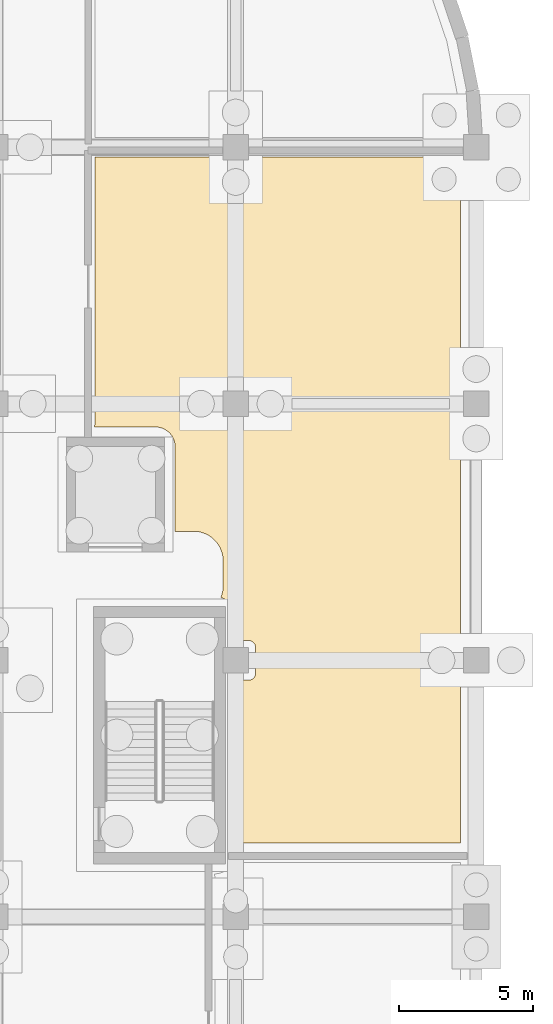
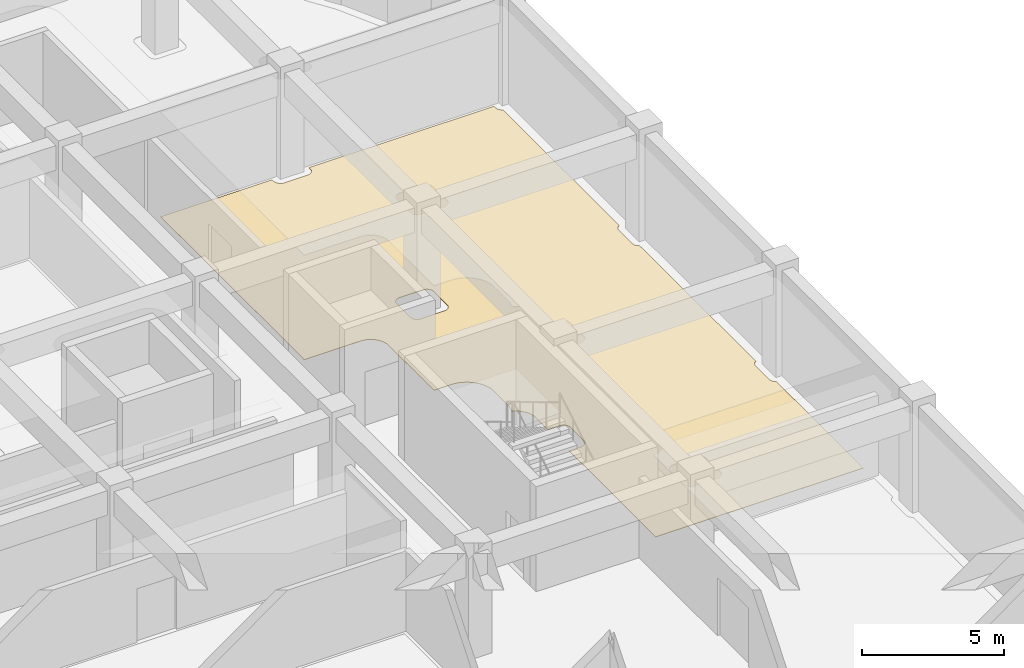
# One storey, part 43 of 47: 1 covering.
"""IFC4 building model written with IfcOpenShell, lengths in metres."""

import ifcopenshell
import ifcopenshell.guid

model = None  # the IFC model being written
_history = None  # IfcOwnerHistory: only IFC2X3 demands one
_inside = {}  # id of a spatial element -> (the spatial element, [elements in it])
_under = {}  # id of a project, library or spatial element -> (it, [spatial elements below it])
_declared = {}  # id of a project -> (the project, [libraries it declares])
_typed = {}  # id of a type object -> (the type object, [elements of that type])
_made_of = {}  # id of a material, layer set ... -> (it, [elements and type objects made of it])


def new_model(schema):
    """Start an empty IFC model of exactly this schema.

    Asked for "IFC4X3", IfcOpenShell would pick the latest addendum, in which some entities
    have other attributes; the version numbers below select the first issue.
    IFC2X3 requires an IfcOwnerHistory on every rooted entity: one is made here for all.
    """
    global model, _history
    if schema == "IFC4X3":
        model = ifcopenshell.file(schema_version=(4, 3, 0, 0))
    else:
        model = ifcopenshell.file(schema=schema)
    _inside.clear()
    _under.clear()
    _declared.clear()
    _typed.clear()
    _made_of.clear()
    _history = None
    if model.schema == "IFC2X3":
        org = make("IfcOrganization", Name="unknown")
        user = make(
            "IfcPersonAndOrganization",
            ThePerson=make("IfcPerson", FamilyName="unknown"),
            TheOrganization=org,
        )
        app = make(
            "IfcApplication",
            ApplicationDeveloper=org,
            Version="unknown",
            ApplicationFullName="unknown",
            ApplicationIdentifier="unknown",
        )
        _history = make(
            "IfcOwnerHistory",
            OwningUser=user,
            OwningApplication=app,
            ChangeAction="ADDED",
            CreationDate=0,
        )
    return model


def make(cls, **values):
    """One entity of the class cls with the attributes given. An attribute that is None is left unset."""
    return model.create_entity(
        cls, **{name: value for name, value in values.items() if value is not None}
    )


def rooted(cls, **values):
    """An entity with a GlobalId (a new one), such as an element, a storey or a relation."""
    return make(cls, GlobalId=ifcopenshell.guid.new(), OwnerHistory=_history, **values)


def si_unit(unit_type, name, prefix=None):
    """IfcSIUnit, for example si_unit("LENGTHUNIT", "METRE", prefix="MILLI")."""
    return make("IfcSIUnit", UnitType=unit_type, Prefix=prefix, Name=name)


def assignment(units):
    """IfcUnitAssignment: the units of a project."""
    return None if units is None else make("IfcUnitAssignment", Units=units)


def point(xyz):
    """IfcCartesianPoint."""
    return None if xyz is None else make("IfcCartesianPoint", Coordinates=xyz)


def direction(xyz):
    """IfcDirection."""
    return None if xyz is None else make("IfcDirection", DirectionRatios=xyz)


def frame(location, z_axis=None, x_axis=None):
    """IfcAxis2Placement3D, a coordinate frame: its origin and axes. An axis left out is left unset."""
    return make(
        "IfcAxis2Placement3D",
        Location=point(location),
        Axis=direction(z_axis),
        RefDirection=direction(x_axis),
    )


def origin():
    """The frame at (0, 0, 0) with its axes left unset."""
    return frame((0.0, 0.0, 0.0))


def place(relative_to, where):
    """IfcLocalPlacement: puts the frame where relative to a parent placement (None: the world)."""
    return make(
        "IfcLocalPlacement", PlacementRelTo=relative_to, RelativePlacement=where
    )


def context(
    kind, dimensions, precision=None, world=None, true_north=None, identifier=None
):
    """IfcGeometricRepresentationContext, for example the 3D "Model" context."""
    return make(
        "IfcGeometricRepresentationContext",
        ContextIdentifier=identifier,
        ContextType=kind,
        CoordinateSpaceDimension=dimensions,
        Precision=precision,
        WorldCoordinateSystem=world,
        TrueNorth=true_north,
    )


def subcontext(parent, identifier, kind, view, scale=None):
    """IfcGeometricRepresentationSubContext, for example "Body" below "Model"."""
    return make(
        "IfcGeometricRepresentationSubContext",
        ContextIdentifier=identifier,
        ContextType=kind,
        ParentContext=parent,
        TargetScale=scale,
        TargetView=view,
    )


def project(units=None, contexts=None):
    """IfcProject with its units and contexts."""
    return rooted(
        "IfcProject",
        Name="project",
        RepresentationContexts=contexts,
        UnitsInContext=assignment(units),
    )


def spatial(cls, under=None, at=None, **own):
    """A site, building, storey or space (cls), placed at a placement, below another one or the project."""
    s = rooted(cls, ObjectPlacement=at, **own)
    if under is not None:
        _under.setdefault(under.id(), (under, []))[1].append(s)
    return s


def polyline(points):
    """IfcPolyline through the points."""
    return make("IfcPolyline", Points=[point(p) for p in points])


def outline(outer, holes=None, kind="AREA"):
    """IfcArbitraryClosedProfileDef: a profile drawn as a closed curve; with holes, ...WithVoids."""
    if holes is None:
        return make("IfcArbitraryClosedProfileDef", ProfileType=kind, OuterCurve=outer)
    return make(
        "IfcArbitraryProfileDefWithVoids",
        ProfileType=kind,
        OuterCurve=outer,
        InnerCurves=holes,
    )


def extrude(swept, where, along, depth):
    """IfcExtrudedAreaSolid: the profile swept, set in the frame where, extruded along a direction by depth."""
    return make(
        "IfcExtrudedAreaSolid",
        SweptArea=swept,
        Position=where,
        ExtrudedDirection=direction(along),
        Depth=depth,
    )


def shape(context_of_items, identifier, shape_type, items):
    """IfcShapeRepresentation: the items that make up one representation, for example the "Body"."""
    return make(
        "IfcShapeRepresentation",
        ContextOfItems=context_of_items,
        RepresentationIdentifier=identifier,
        RepresentationType=shape_type,
        Items=items,
    )


def material(Name=None, Category=None):
    """IfcMaterial."""
    return make("IfcMaterial", Name=Name, Category=Category)


def layer(
    of_material, thickness, ventilated=None, Name=None, Category=None, Priority=None
):
    """IfcMaterialLayer: one layer of a wall or slab, of a material (None: an air gap)."""
    return make(
        "IfcMaterialLayer",
        Material=of_material,
        LayerThickness=thickness,
        IsVentilated=ventilated,
        Name=Name,
        Category=Category,
        Priority=Priority,
    )


def layer_set(layers, Name=None):
    """IfcMaterialLayerSet."""
    return make("IfcMaterialLayerSet", MaterialLayers=layers, LayerSetName=Name)


def made_of(thing, what):
    """Note that an element or type object is made of a material, layer set ...; save() writes the relation."""
    if what is not None:
        _made_of.setdefault(what.id(), (what, []))[1].append(thing)
    return thing


def type_object(cls, material=None, **own):
    """A type object (cls), such as IfcWallType, which elements share."""
    return made_of(rooted(cls, **own), material)


def element(
    cls,
    number,
    at=None,
    inside=None,
    cuts=None,
    type_object=None,
    material=None,
    context=None,
    identifier="Body",
    shape_type=None,
    held_by="IfcProductDefinitionShape",
    body=None,
    shapes=None,
    **own,
):
    """One element of the class cls, such as IfcWall. Its Tag is "e" and its number.

    at: its placement. inside: the storey or other place that contains it. cuts: it is an
    opening in that element (IfcRelVoidsElement). A single representation is given by context,
    identifier, shape_type and body (its items); several are given by shapes. held_by: the class
    of the entity that holds the representations. save() writes the other relations.
    """
    e = rooted(cls, Tag="e%d" % number, ObjectPlacement=at, **own)
    if body is not None:
        shapes = [shape(context, identifier, shape_type, body)]
    if shapes is not None:
        e.Representation = make(held_by, Representations=shapes)
    if inside is not None:
        _inside.setdefault(inside.id(), (inside, []))[1].append(e)
    if cuts is not None:
        rooted(
            "IfcRelVoidsElement", RelatingBuildingElement=cuts, RelatedOpeningElement=e
        )
    if type_object is not None:
        _typed.setdefault(type_object.id(), (type_object, []))[1].append(e)
    return made_of(e, material)


def aggregate(whole, parts):
    """IfcRelAggregates: a whole, such as a stair, and the parts it consists of."""
    return rooted("IfcRelAggregates", RelatingObject=whole, RelatedObjects=parts)


def save(model, path):
    """Write the relations noted so far, then the file.

    IfcRelAggregates (storeys below a building ...), IfcRelContainedInSpatialStructure (elements
    in a storey), IfcRelDefinesByType, IfcRelAssociatesMaterial and IfcRelDeclares: one each for
    every whole, place, type object, material and project.
    """
    for whole, parts in _under.values():
        aggregate(whole, parts)
    for where, things in _inside.values():
        rooted(
            "IfcRelContainedInSpatialStructure",
            RelatedElements=things,
            RelatingStructure=where,
        )
    for kind, things in _typed.values():
        rooted("IfcRelDefinesByType", RelatedObjects=things, RelatingType=kind)
    for what, things in _made_of.values():
        rooted("IfcRelAssociatesMaterial", RelatedObjects=things, RelatingMaterial=what)
    for by, libraries in _declared.values():
        rooted("IfcRelDeclares", RelatingContext=by, RelatedDefinitions=libraries)
    model.write(path)


model = new_model("IFC4")

# Units and contexts
model_context = context("Model", 3, precision=1e-05, world=origin(), true_north=direction((0.0, 1.0)))
body_context = subcontext(model_context, "Body", "Model", "MODEL_VIEW")
ifc_project = project(units=[si_unit("LENGTHUNIT", "METRE"), si_unit("AREAUNIT", "SQUARE_METRE"), si_unit("VOLUMEUNIT", "CUBIC_METRE"), si_unit("PLANEANGLEUNIT", "RADIAN"), si_unit("MASSUNIT", "GRAM", prefix="KILO")], contexts=[model_context])

# Site, building, storey
site_placement = place(None, origin())
site = spatial("IfcSite", under=ifc_project, at=site_placement, CompositionType="ELEMENT")
building_placement = place(site_placement, origin())
building = spatial("IfcBuilding", under=site, at=building_placement, Name="Cendralis Terraced Arcade", CompositionType="ELEMENT")
storey_placement = place(building_placement, frame((0.0, 0.0, -4.800048828125)))
storey = spatial("IfcBuildingStorey", under=building, at=storey_placement, Name="B1", CompositionType="ELEMENT", Elevation=-4.800048828125)

# Covering
ifc_material = material(Name="Warm Andean oak timber", Category="wood")
ifc_layer = layer(ifc_material, 0.02197265625, Name="COV-FLR-OAK-22")
ifc_layer_set = layer_set([ifc_layer], Name="Warm Andean oak timber")
covering_type = type_object("IfcCoveringType", Name="COV-FLR-OAK-22", PredefinedType="FLOORING", material=ifc_layer_set)
covering_placement = place(storey_placement, origin())
element("IfcCovering", 1, at=covering_placement, inside=storey, type_object=covering_type, Name="Interior Finish Flooring B1-019", PredefinedType="FLOORING", context=body_context, shape_type="SweptSolid", body=[
    extrude(outline(polyline([(151.921630859375, 87.969970703125), (151.922607421875, 87.975830078125), (151.92333984375, 87.981689453125), (151.923828125, 87.98779296875), (151.925048828125, 87.99951171875), (151.925537109375, 88.005615234375), (151.926025390625, 88.01171875), (151.926513671875, 88.017578125), (151.929443359375, 88.07861328125), (151.929443359375, 88.08154296875), (151.9296875, 88.08447265625), (151.9296875, 88.087646484375), (151.929931640625, 88.093505859375), (151.929931640625, 88.096435546875), (151.929931640625, 88.099609375), (151.929931640625, 88.1025390625), (151.929931640625, 98.030029296875), (156.455078125, 98.030029296875), (156.455078125, 97.925048828125), (156.455322265625, 97.91259765625), (156.455322265625, 97.910888671875), (156.457763671875, 97.886474609375), (156.4580078125, 97.884521484375), (156.462890625, 97.8603515625), (156.46337890625, 97.8583984375), (156.470458984375, 97.8349609375), (156.47119140625, 97.8330078125), (156.48046875, 97.810546875), (156.4814453125, 97.80859375), (156.492919921875, 97.787109375), (156.493896484375, 97.785400390625), (156.507568359375, 97.764892578125), (156.5087890625, 97.763427734375), (156.5244140625, 97.744384765625), (156.525634765625, 97.742919921875), (156.54296875, 97.7255859375), (156.54443359375, 97.724365234375), (156.5634765625, 97.708740234375), (156.56494140625, 97.70751953125), (156.58544921875, 97.69384765625), (156.5869140625, 97.69287109375), (156.608642578125, 97.681396484375), (156.610595703125, 97.680419921875), (156.633056640625, 97.671142578125), (156.635009765625, 97.67041015625), (156.658447265625, 97.663330078125), (156.660400390625, 97.662841796875), (156.684326171875, 97.658203125), (156.686279296875, 97.65771484375), (156.710693359375, 97.655517578125), (156.712646484375, 97.6552734375), (156.72509765625, 97.655029296875), (157.675048828125, 97.655029296875), (157.687255859375, 97.6552734375), (157.689208984375, 97.655517578125), (157.713623046875, 97.65771484375), (157.715576171875, 97.658203125), (157.739501953125, 97.662841796875), (157.74169921875, 97.663330078125), (157.764892578125, 97.67041015625), (157.766845703125, 97.671142578125), (157.78955078125, 97.680419921875), (157.791259765625, 97.681396484375), (157.81298828125, 97.69287109375), (157.814697265625, 97.69384765625), (157.8349609375, 97.70751953125), (157.836669921875, 97.708740234375), (157.855712890625, 97.724365234375), (157.85693359375, 97.7255859375), (157.87451171875, 97.742919921875), (157.875732421875, 97.744384765625), (157.891357421875, 97.763427734375), (157.892333984375, 97.764892578125), (157.906005859375, 97.785400390625), (157.906982421875, 97.787109375), (157.918701171875, 97.80859375), (157.91943359375, 97.810546875), (157.928955078125, 97.8330078125), (157.929443359375, 97.8349609375), (157.9365234375, 97.8583984375), (157.93701171875, 97.8603515625), (157.94189453125, 97.884521484375), (157.942138671875, 97.886474609375), (157.944580078125, 97.910888671875), (157.944580078125, 97.91259765625), (157.945068359375, 97.925048828125), (157.945068359375, 98.030029296875), (165.455078125, 98.030029296875), (165.455078125, 97.925048828125), (165.455322265625, 97.91259765625), (165.455322265625, 97.910888671875), (165.457763671875, 97.886474609375), (165.4580078125, 97.884521484375), (165.462890625, 97.8603515625), (165.46337890625, 97.8583984375), (165.470458984375, 97.8349609375), (165.47119140625, 97.8330078125), (165.48046875, 97.810546875), (165.4814453125, 97.80859375), (165.492919921875, 97.787109375), (165.493896484375, 97.785400390625), (165.507568359375, 97.764892578125), (165.5087890625, 97.763427734375), (165.5244140625, 97.744384765625), (165.525634765625, 97.742919921875), (165.54296875, 97.7255859375), (165.54443359375, 97.724365234375), (165.5634765625, 97.708740234375), (165.56494140625, 97.70751953125), (165.58544921875, 97.69384765625), (165.5869140625, 97.69287109375), (165.608642578125, 97.681396484375), (165.610107421875, 97.6806640625), (165.610107421875, 89.519287109375), (165.608642578125, 89.5185546875), (165.5869140625, 89.507080078125), (165.58544921875, 89.506103515625), (165.56494140625, 89.492431640625), (165.5634765625, 89.4912109375), (165.54443359375, 89.4755859375), (165.54296875, 89.474365234375), (165.525634765625, 89.45703125), (165.5244140625, 89.45556640625), (165.5087890625, 89.4365234375), (165.507568359375, 89.43505859375), (165.493896484375, 89.41455078125), (165.492919921875, 89.4130859375), (165.4814453125, 89.391357421875), (165.48046875, 89.389404296875), (165.47119140625, 89.366943359375), (165.470458984375, 89.364990234375), (165.46337890625, 89.341552734375), (165.462890625, 89.339599609375), (165.4580078125, 89.315673828125), (165.457763671875, 89.313720703125), (165.455322265625, 89.289306640625), (165.455322265625, 89.287353515625), (165.455078125, 89.27490234375), (165.455078125, 88.324951171875), (165.455322265625, 88.312744140625), (165.455322265625, 88.310791015625), (165.457763671875, 88.286376953125), (165.4580078125, 88.284423828125), (165.462890625, 88.260498046875), (165.46337890625, 88.25830078125), (165.470458984375, 88.235107421875), (165.47119140625, 88.233154296875), (165.48046875, 88.21044921875), (165.4814453125, 88.208740234375), (165.492919921875, 88.18701171875), (165.493896484375, 88.185302734375), (165.507568359375, 88.1650390625), (165.5087890625, 88.163330078125), (165.5244140625, 88.144287109375), (165.525634765625, 88.14306640625), (165.54296875, 88.12548828125), (165.54443359375, 88.124267578125), (165.5634765625, 88.108642578125), (165.56494140625, 88.107666015625), (165.58544921875, 88.093994140625), (165.5869140625, 88.093017578125), (165.608642578125, 88.081298828125), (165.610107421875, 88.080810546875), (165.610107421875, 79.919189453125), (165.608642578125, 79.918701171875), (165.5869140625, 79.906982421875), (165.58544921875, 79.906005859375), (165.56494140625, 79.892333984375), (165.5634765625, 79.891357421875), (165.54443359375, 79.875732421875), (165.54296875, 79.87451171875), (165.525634765625, 79.85693359375), (165.5244140625, 79.855712890625), (165.5087890625, 79.836669921875), (165.507568359375, 79.8349609375), (165.493896484375, 79.814697265625), (165.492919921875, 79.81298828125), (165.4814453125, 79.791259765625), (165.48046875, 79.78955078125), (165.47119140625, 79.766845703125), (165.470458984375, 79.764892578125), (165.46337890625, 79.74169921875), (165.462890625, 79.739501953125), (165.4580078125, 79.715576171875), (165.457763671875, 79.713623046875), (165.455322265625, 79.689208984375), (165.455322265625, 79.687255859375), (165.455078125, 79.675048828125), (165.455078125, 78.72509765625), (165.455322265625, 78.712646484375), (165.455322265625, 78.710693359375), (165.457763671875, 78.686279296875), (165.4580078125, 78.684326171875), (165.462890625, 78.660400390625), (165.46337890625, 78.658447265625), (165.470458984375, 78.635009765625), (165.47119140625, 78.633056640625), (165.48046875, 78.610595703125), (165.4814453125, 78.608642578125), (165.492919921875, 78.5869140625), (165.493896484375, 78.58544921875), (165.507568359375, 78.56494140625), (165.5087890625, 78.5634765625), (165.5244140625, 78.54443359375), (165.525634765625, 78.54296875), (165.54296875, 78.525634765625), (165.54443359375, 78.5244140625), (165.5634765625, 78.5087890625), (165.56494140625, 78.507568359375), (165.58544921875, 78.493896484375), (165.5869140625, 78.492919921875), (165.608642578125, 78.4814453125), (165.610107421875, 78.480712890625), (165.610107421875, 72.3701171875), (157.18994140625, 72.3701171875), (157.18994140625, 78.455078125), (157.675048828125, 78.455078125), (157.687255859375, 78.455322265625), (157.689208984375, 78.455322265625), (157.713623046875, 78.457763671875), (157.715576171875, 78.4580078125), (157.739501953125, 78.462890625), (157.74169921875, 78.46337890625), (157.764892578125, 78.470458984375), (157.766845703125, 78.47119140625), (157.78955078125, 78.48046875), (157.791259765625, 78.4814453125), (157.81298828125, 78.492919921875), (157.814697265625, 78.493896484375), (157.8349609375, 78.507568359375), (157.836669921875, 78.5087890625), (157.855712890625, 78.5244140625), (157.85693359375, 78.525634765625), (157.87451171875, 78.54296875), (157.875732421875, 78.54443359375), (157.891357421875, 78.5634765625), (157.892333984375, 78.56494140625), (157.906005859375, 78.58544921875), (157.906982421875, 78.5869140625), (157.918701171875, 78.608642578125), (157.91943359375, 78.610595703125), (157.928955078125, 78.633056640625), (157.929443359375, 78.635009765625), (157.9365234375, 78.658447265625), (157.93701171875, 78.660400390625), (157.94189453125, 78.684326171875), (157.942138671875, 78.686279296875), (157.944580078125, 78.710693359375), (157.944580078125, 78.712646484375), (157.945068359375, 78.72509765625), (157.945068359375, 79.675048828125), (157.944580078125, 79.687255859375), (157.944580078125, 79.689208984375), (157.942138671875, 79.713623046875), (157.94189453125, 79.715576171875), (157.93701171875, 79.739501953125), (157.9365234375, 79.74169921875), (157.929443359375, 79.764892578125), (157.928955078125, 79.766845703125), (157.91943359375, 79.78955078125), (157.918701171875, 79.791259765625), (157.906982421875, 79.81298828125), (157.906005859375, 79.814697265625), (157.892333984375, 79.8349609375), (157.891357421875, 79.836669921875), (157.875732421875, 79.855712890625), (157.87451171875, 79.85693359375), (157.85693359375, 79.87451171875), (157.855712890625, 79.875732421875), (157.836669921875, 79.891357421875), (157.8349609375, 79.892333984375), (157.814697265625, 79.906005859375), (157.81298828125, 79.906982421875), (157.791259765625, 79.918701171875), (157.78955078125, 79.91943359375), (157.766845703125, 79.928955078125), (157.764892578125, 79.929443359375), (157.74169921875, 79.9365234375), (157.739501953125, 79.93701171875), (157.715576171875, 79.94189453125), (157.713623046875, 79.942138671875), (157.689208984375, 79.944580078125), (157.687255859375, 79.944580078125), (157.675048828125, 79.945068359375), (157.18994140625, 79.945068359375), (157.18994140625, 80.800048828125), (157.18994140625, 80.80615234375), (157.189697265625, 80.81201171875), (157.189697265625, 80.818115234375), (157.1875, 80.859375), (157.1865234375, 80.87158203125), (157.185546875, 80.88330078125), (157.18408203125, 80.8955078125), (157.177978515625, 80.936279296875), (157.17578125, 80.9482421875), (157.173583984375, 80.9599609375), (157.1708984375, 80.9716796875), (157.160888671875, 81.01171875), (157.15771484375, 81.023681640625), (157.154052734375, 81.034912109375), (157.150390625, 81.046630859375), (157.136474609375, 81.08544921875), (157.132080078125, 81.0966796875), (157.12744140625, 81.107666015625), (157.12255859375, 81.118896484375), (157.10498046875, 81.15625), (157.099365234375, 81.1669921875), (157.09375, 81.177490234375), (157.087890625, 81.188232421875), (157.066650390625, 81.2236328125), (157.06005859375, 81.23388671875), (157.053466796875, 81.24365234375), (157.04638671875, 81.253662109375), (157.02197265625, 81.286865234375), (157.014404296875, 81.29638671875), (157.0068359375, 81.3056640625), (156.998779296875, 81.31494140625), (156.97119140625, 81.345458984375), (156.962646484375, 81.354248046875), (156.954345703125, 81.36279296875), (156.945556640625, 81.37109375), (156.914794921875, 81.398681640625), (156.905517578125, 81.40673828125), (156.896484375, 81.414306640625), (156.886962890625, 81.421875), (156.853759765625, 81.4462890625), (156.84375, 81.45361328125), (156.833984375, 81.4599609375), (156.823486328125, 81.466552734375), (156.7880859375, 81.48779296875), (156.777587890625, 81.493896484375), (156.76708984375, 81.49951171875), (156.756103515625, 81.5048828125), (156.718994140625, 81.5224609375), (156.707763671875, 81.527587890625), (156.69677734375, 81.531982421875), (156.685302734375, 81.536376953125), (156.646484375, 81.55029296875), (156.643798828125, 81.55126953125), (156.647705078125, 81.560791015625), (156.64990234375, 81.56640625), (156.652099609375, 81.572021484375), (156.654296875, 81.57763671875), (156.6748046875, 81.635009765625), (156.6767578125, 81.640625), (156.678466796875, 81.646240234375), (156.680419921875, 81.652099609375), (156.683837890625, 81.66357421875), (156.685546875, 81.66943359375), (156.68701171875, 81.675048828125), (156.688720703125, 81.680908203125), (156.703369140625, 81.739990234375), (156.704833984375, 81.74609375), (156.7060546875, 81.751708984375), (156.70751953125, 81.7578125), (156.709716796875, 81.769287109375), (156.710693359375, 81.775390625), (156.7119140625, 81.781005859375), (156.712890625, 81.787109375), (156.7216796875, 81.847412109375), (156.722412109375, 81.853515625), (156.723388671875, 81.859375), (156.723876953125, 81.865478515625), (156.72509765625, 81.877197265625), (156.7255859375, 81.88330078125), (156.72607421875, 81.88916015625), (156.726318359375, 81.895263671875), (156.7294921875, 81.9560546875), (156.7294921875, 81.958984375), (156.7294921875, 81.9619140625), (156.729736328125, 81.965087890625), (156.72998046875, 81.970947265625), (156.72998046875, 81.97412109375), (156.72998046875, 81.976806640625), (156.72998046875, 81.97998046875), (156.72998046875, 82.919921875), (156.72998046875, 82.923095703125), (156.72998046875, 82.926025390625), (156.72998046875, 82.92919921875), (156.729736328125, 82.93505859375), (156.7294921875, 82.93798828125), (156.7294921875, 82.94091796875), (156.7294921875, 82.944091796875), (156.726318359375, 83.0048828125), (156.72607421875, 83.010986328125), (156.7255859375, 83.016845703125), (156.72509765625, 83.02294921875), (156.723876953125, 83.03466796875), (156.723388671875, 83.040771484375), (156.722412109375, 83.046630859375), (156.7216796875, 83.052734375), (156.712890625, 83.11279296875), (156.7119140625, 83.118896484375), (156.710693359375, 83.124755859375), (156.709716796875, 83.130615234375), (156.70751953125, 83.142333984375), (156.7060546875, 83.148193359375), (156.704833984375, 83.154052734375), (156.703369140625, 83.159912109375), (156.688720703125, 83.218994140625), (156.68701171875, 83.22509765625), (156.685546875, 83.230712890625), (156.683837890625, 83.236572265625), (156.680419921875, 83.247802734375), (156.678466796875, 83.253662109375), (156.6767578125, 83.25927734375), (156.6748046875, 83.26513671875), (156.654296875, 83.322265625), (156.652099609375, 83.328125), (156.64990234375, 83.33349609375), (156.647705078125, 83.33935546875), (156.64306640625, 83.35009765625), (156.640625, 83.355712890625), (156.63818359375, 83.361083984375), (156.6357421875, 83.36669921875), (156.609619140625, 83.421875), (156.607177734375, 83.42724609375), (156.6044921875, 83.4326171875), (156.6015625, 83.43798828125), (156.595947265625, 83.448486328125), (156.593017578125, 83.453857421875), (156.590087890625, 83.458984375), (156.587158203125, 83.464111328125), (156.555908203125, 83.516357421875), (156.552490234375, 83.521484375), (156.54931640625, 83.526611328125), (156.546142578125, 83.53173828125), (156.53955078125, 83.54150390625), (156.5361328125, 83.546630859375), (156.53271484375, 83.551513671875), (156.529052734375, 83.556396484375), (156.492919921875, 83.605224609375), (156.489013671875, 83.610107421875), (156.485595703125, 83.61474609375), (156.481689453125, 83.619384765625), (156.47412109375, 83.628662109375), (156.47021484375, 83.63330078125), (156.46630859375, 83.6376953125), (156.46240234375, 83.642333984375), (156.42138671875, 83.6875), (156.417236328125, 83.69189453125), (156.4130859375, 83.6962890625), (156.408935546875, 83.70068359375), (156.400634765625, 83.708984375), (156.396240234375, 83.713134765625), (156.39208984375, 83.71728515625), (156.387451171875, 83.721435546875), (156.34228515625, 83.76220703125), (156.337890625, 83.766357421875), (156.333251953125, 83.770263671875), (156.32861328125, 83.774169921875), (156.319580078125, 83.78173828125), (156.314697265625, 83.785400390625), (156.31005859375, 83.7890625), (156.30517578125, 83.792724609375), (156.25634765625, 83.8291015625), (156.25146484375, 83.832763671875), (156.24658203125, 83.836181640625), (156.241455078125, 83.839599609375), (156.231689453125, 83.84619140625), (156.2265625, 83.849365234375), (156.2216796875, 83.8525390625), (156.21630859375, 83.855712890625), (156.164306640625, 83.88720703125), (156.158935546875, 83.89013671875), (156.15380859375, 83.89306640625), (156.1484375, 83.89599609375), (156.137939453125, 83.901611328125), (156.132568359375, 83.904296875), (156.127197265625, 83.906982421875), (156.121826171875, 83.90966796875), (156.06689453125, 83.935791015625), (156.061279296875, 83.938232421875), (156.055908203125, 83.940673828125), (156.05029296875, 83.943115234375), (156.039306640625, 83.947509765625), (156.03369140625, 83.949951171875), (156.028076171875, 83.951904296875), (156.022216796875, 83.9541015625), (155.965087890625, 83.974609375), (155.959228515625, 83.976806640625), (155.95361328125, 83.978515625), (155.94775390625, 83.98046875), (155.9365234375, 83.98388671875), (155.9306640625, 83.985595703125), (155.925048828125, 83.987060546875), (155.9189453125, 83.988525390625), (155.860107421875, 84.00341796875), (155.85400390625, 84.0048828125), (155.848388671875, 84.006103515625), (155.84228515625, 84.00732421875), (155.830810546875, 84.009765625), (155.82470703125, 84.0107421875), (155.81884765625, 84.01171875), (155.81298828125, 84.0126953125), (155.752685546875, 84.021728515625), (155.74658203125, 84.0224609375), (155.74072265625, 84.023193359375), (155.734619140625, 84.02392578125), (155.722900390625, 84.025146484375), (155.716796875, 84.025634765625), (155.7109375, 84.02587890625), (155.704833984375, 84.0263671875), (155.64404296875, 84.029296875), (155.64111328125, 84.029541015625), (155.637939453125, 84.029541015625), (155.635009765625, 84.02978515625), (155.629150390625, 84.02978515625), (155.6259765625, 84.02978515625), (155.623046875, 84.030029296875), (155.6201171875, 84.030029296875), (154.929931640625, 84.030029296875), (154.929931640625, 87.199951171875), (154.929931640625, 87.2060546875), (154.9296875, 87.2119140625), (154.9296875, 87.21826171875), (154.927734375, 87.25341796875), (154.927001953125, 87.265625), (154.92578125, 87.27734375), (154.92431640625, 87.28955078125), (154.919189453125, 87.324462890625), (154.9169921875, 87.336669921875), (154.914794921875, 87.34814453125), (154.912109375, 87.360107421875), (154.9033203125, 87.394287109375), (154.900146484375, 87.40625), (154.896728515625, 87.41748046875), (154.892822265625, 87.42919921875), (154.881103515625, 87.46240234375), (154.876708984375, 87.473876953125), (154.8720703125, 87.484619140625), (154.8671875, 87.49609375), (154.85205078125, 87.52783203125), (154.846435546875, 87.538818359375), (154.8408203125, 87.54931640625), (154.8349609375, 87.559814453125), (154.816650390625, 87.590087890625), (154.81005859375, 87.6005859375), (154.8037109375, 87.6103515625), (154.79638671875, 87.620361328125), (154.775390625, 87.648681640625), (154.767822265625, 87.658447265625), (154.760498046875, 87.66748046875), (154.75244140625, 87.677001953125), (154.728759765625, 87.702880859375), (154.72021484375, 87.7119140625), (154.7119140625, 87.72021484375), (154.702880859375, 87.728759765625), (154.677001953125, 87.75244140625), (154.66748046875, 87.760498046875), (154.658447265625, 87.767822265625), (154.648681640625, 87.775390625), (154.620361328125, 87.79638671875), (154.6103515625, 87.8037109375), (154.6005859375, 87.81005859375), (154.590087890625, 87.816650390625), (154.559814453125, 87.8349609375), (154.54931640625, 87.8408203125), (154.538818359375, 87.846435546875), (154.52783203125, 87.85205078125), (154.49609375, 87.8671875), (154.484619140625, 87.8720703125), (154.473876953125, 87.876708984375), (154.46240234375, 87.881103515625), (154.42919921875, 87.892822265625), (154.41748046875, 87.896728515625), (154.40625, 87.900146484375), (154.394287109375, 87.9033203125), (154.360107421875, 87.912109375), (154.34814453125, 87.914794921875), (154.336669921875, 87.9169921875), (154.324462890625, 87.919189453125), (154.28955078125, 87.92431640625), (154.27734375, 87.92578125), (154.265625, 87.927001953125), (154.25341796875, 87.927734375), (154.21826171875, 87.9296875), (154.2119140625, 87.9296875), (154.2060546875, 87.929931640625), (154.199951171875, 87.929931640625), (151.915771484375, 87.929931640625), (151.921630859375, 87.969970703125)]), holes=[polyline([(156.608642578125, 88.081298828125), (156.610595703125, 88.08056640625), (156.633056640625, 88.071044921875), (156.635009765625, 88.070556640625), (156.658447265625, 88.0634765625), (156.660400390625, 88.06298828125), (156.684326171875, 88.05810546875), (156.686279296875, 88.057861328125), (156.710693359375, 88.055419921875), (156.712646484375, 88.055419921875), (156.72509765625, 88.054931640625), (157.675048828125, 88.054931640625), (157.687255859375, 88.055419921875), (157.689208984375, 88.055419921875), (157.713623046875, 88.057861328125), (157.715576171875, 88.05810546875), (157.739501953125, 88.06298828125), (157.74169921875, 88.0634765625), (157.764892578125, 88.070556640625), (157.766845703125, 88.071044921875), (157.78955078125, 88.08056640625), (157.791259765625, 88.081298828125), (157.81298828125, 88.093017578125), (157.814697265625, 88.093994140625), (157.8349609375, 88.107666015625), (157.836669921875, 88.108642578125), (157.855712890625, 88.124267578125), (157.85693359375, 88.12548828125), (157.87451171875, 88.14306640625), (157.875732421875, 88.144287109375), (157.891357421875, 88.163330078125), (157.892333984375, 88.1650390625), (157.906005859375, 88.185302734375), (157.906982421875, 88.18701171875), (157.918701171875, 88.208740234375), (157.91943359375, 88.21044921875), (157.928955078125, 88.233154296875), (157.929443359375, 88.235107421875), (157.9365234375, 88.25830078125), (157.93701171875, 88.260498046875), (157.94189453125, 88.284423828125), (157.942138671875, 88.286376953125), (157.944580078125, 88.310791015625), (157.944580078125, 88.312744140625), (157.945068359375, 88.324951171875), (157.945068359375, 89.27490234375), (157.944580078125, 89.287353515625), (157.944580078125, 89.289306640625), (157.942138671875, 89.313720703125), (157.94189453125, 89.315673828125), (157.93701171875, 89.339599609375), (157.9365234375, 89.341552734375), (157.929443359375, 89.364990234375), (157.928955078125, 89.366943359375), (157.91943359375, 89.389404296875), (157.918701171875, 89.391357421875), (157.906982421875, 89.4130859375), (157.906005859375, 89.41455078125), (157.892333984375, 89.43505859375), (157.891357421875, 89.4365234375), (157.875732421875, 89.45556640625), (157.87451171875, 89.45703125), (157.85693359375, 89.474365234375), (157.855712890625, 89.4755859375), (157.836669921875, 89.4912109375), (157.8349609375, 89.492431640625), (157.814697265625, 89.506103515625), (157.81298828125, 89.507080078125), (157.791259765625, 89.5185546875), (157.78955078125, 89.51953125), (157.766845703125, 89.52880859375), (157.764892578125, 89.529541015625), (157.74169921875, 89.53662109375), (157.739501953125, 89.537109375), (157.715576171875, 89.5419921875), (157.713623046875, 89.542236328125), (157.689208984375, 89.544677734375), (157.687255859375, 89.544677734375), (157.675048828125, 89.544921875), (156.72509765625, 89.544921875), (156.712646484375, 89.544677734375), (156.710693359375, 89.544677734375), (156.686279296875, 89.542236328125), (156.684326171875, 89.5419921875), (156.660400390625, 89.537109375), (156.658447265625, 89.53662109375), (156.635009765625, 89.529541015625), (156.633056640625, 89.52880859375), (156.610595703125, 89.51953125), (156.608642578125, 89.5185546875), (156.5869140625, 89.507080078125), (156.58544921875, 89.506103515625), (156.56494140625, 89.492431640625), (156.5634765625, 89.4912109375), (156.54443359375, 89.4755859375), (156.54296875, 89.474365234375), (156.525634765625, 89.45703125), (156.5244140625, 89.45556640625), (156.5087890625, 89.4365234375), (156.507568359375, 89.43505859375), (156.493896484375, 89.41455078125), (156.492919921875, 89.4130859375), (156.4814453125, 89.391357421875), (156.48046875, 89.389404296875), (156.47119140625, 89.366943359375), (156.470458984375, 89.364990234375), (156.46337890625, 89.341552734375), (156.462890625, 89.339599609375), (156.4580078125, 89.315673828125), (156.457763671875, 89.313720703125), (156.455322265625, 89.289306640625), (156.455322265625, 89.287353515625), (156.455078125, 89.27490234375), (156.455078125, 88.324951171875), (156.455322265625, 88.312744140625), (156.455322265625, 88.310791015625), (156.457763671875, 88.286376953125), (156.4580078125, 88.284423828125), (156.462890625, 88.260498046875), (156.46337890625, 88.25830078125), (156.470458984375, 88.235107421875), (156.47119140625, 88.233154296875), (156.48046875, 88.21044921875), (156.4814453125, 88.208740234375), (156.492919921875, 88.18701171875), (156.493896484375, 88.185302734375), (156.507568359375, 88.1650390625), (156.5087890625, 88.163330078125), (156.5244140625, 88.144287109375), (156.525634765625, 88.14306640625), (156.54296875, 88.12548828125), (156.54443359375, 88.124267578125), (156.5634765625, 88.108642578125), (156.56494140625, 88.107666015625), (156.58544921875, 88.093994140625), (156.5869140625, 88.093017578125), (156.608642578125, 88.081298828125)])]), origin(), (0.0, 0.0, 1.0), 0.02197265625),
])

save(model, "model.ifc")
